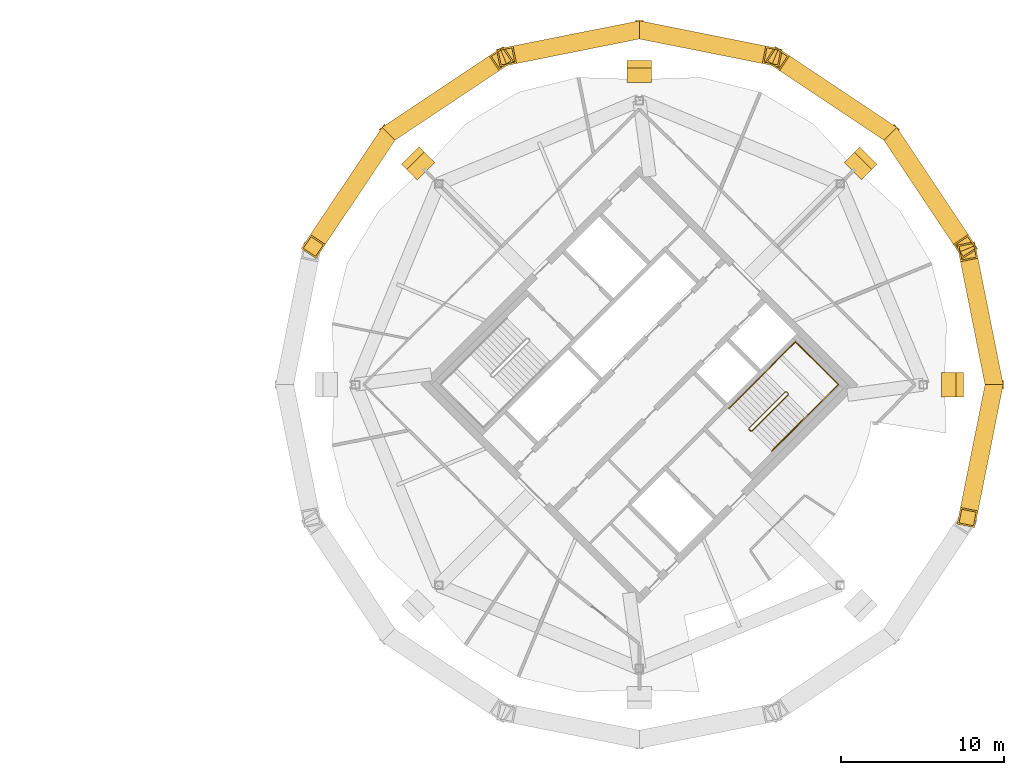
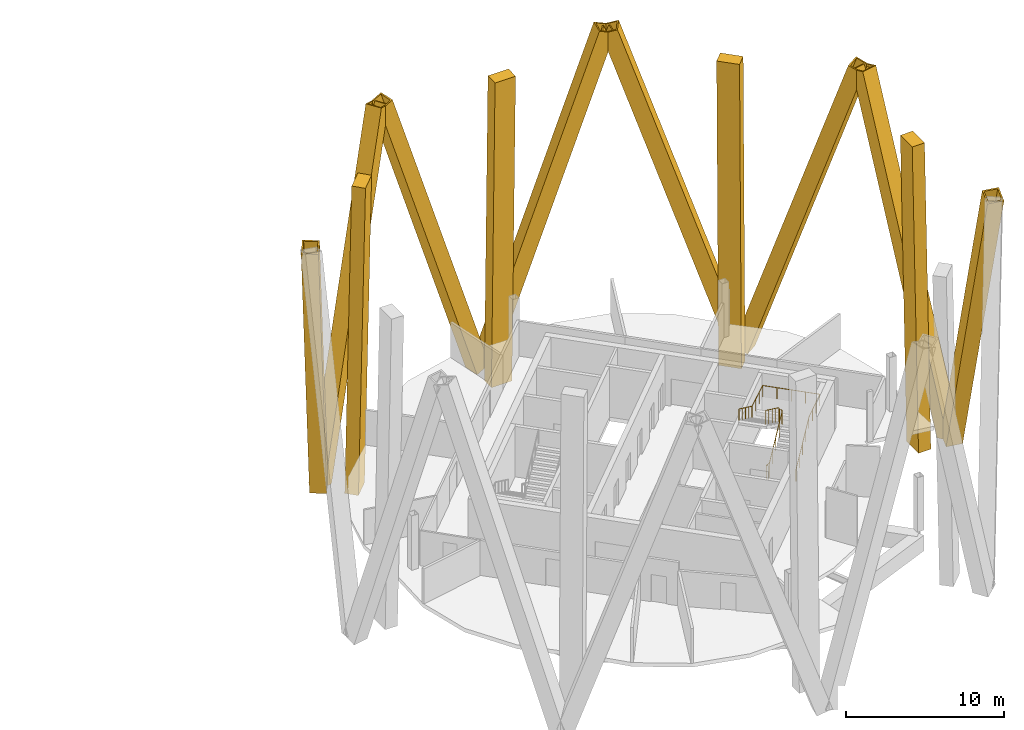
# One storey, part 11 of 11: 12 coverings, 2 railings.
"""IFC4 building model written with IfcOpenShell, lengths in metres."""

from ifc_helpers import new_model, si_unit, direction, frame, origin, origin_2d, place, context, subcontext, project, spatial, rectangle, hollow_rectangle, circle, extrude, material, material_profile, profile_set, type_object, element, save


model = new_model("IFC4")

# Units and contexts
model_context = context("Model", 3, precision=1e-05, world=origin(), true_north=direction((0.0, 1.0)))
body_context = subcontext(model_context, "Body", "Model", "MODEL_VIEW")
ifc_project = project(units=[si_unit("LENGTHUNIT", "METRE"), si_unit("AREAUNIT", "SQUARE_METRE"), si_unit("VOLUMEUNIT", "CUBIC_METRE"), si_unit("PLANEANGLEUNIT", "RADIAN"), si_unit("MASSUNIT", "GRAM", prefix="KILO")], contexts=[model_context])

# Site, building, storey
site_placement = place(None, origin())
site = spatial("IfcSite", under=ifc_project, at=site_placement, CompositionType="ELEMENT")
building_placement = place(site_placement, origin())
building = spatial("IfcBuilding", under=site, at=building_placement, Name="Ogive Gate Towers", CompositionType="ELEMENT")
storey_placement = place(building_placement, frame((0.0, 0.0, 273.0)))
storey = spatial("IfcBuildingStorey", under=building, at=storey_placement, Name="L64", CompositionType="ELEMENT", Elevation=273.0)

# Coverings
ifc_material_1 = material(Name="Pale metal aluminium", Category="aluminium")
ifc_material_profile_1 = material_profile(ifc_material_1, rectangle(XDim=1.5, YDim=0.89990234375, at=origin_2d()), Name="1500 x 900 pale metal aluminium")
ifc_profile_set_1 = profile_set([ifc_material_profile_1], Name="Pale metal aluminium")
covering_type_1 = type_object("IfcCoveringType", Name="Crease colonnette 1500 x 900", PredefinedType="CLADDING", material=ifc_profile_set_1)
for number, where, z_axis, x_axis, name in (
    (1, (55.47021484375, 0.0, -3.5), (-0.01933269431, 0.0, 0.999813106001), (0.0, -1.0, 0.0), "Crease colonnette"),
    (2, (49.767333984375, 13.767333984375, -3.5), (-0.01366109034, -0.01366109034, 0.999813357193), (0.707106781187, -0.707106781187, 0.0), "Crease colonnette"),
    (3, (36.0, 19.47021484375, -3.5), (0.0, -0.01933269431, 0.999813106001), (1.0, 0.0, 0.0), "Crease colonnette"),
    (4, (22.232666015625, 13.767333984375, -3.5), (0.01366109034, -0.01366109034, 0.999813357193), (0.707106781187, 0.707106781187, 0.0), "Crease colonnette"),
):
    element("IfcCovering", number, at=place(storey_placement, frame(where, z_axis=z_axis, x_axis=x_axis)), inside=storey, type_object=covering_type_1, Name=name, PredefinedType="CLADDING", context=body_context, shape_type="SweptSolid", body=[
        extrude(rectangle(XDim=1.5, YDim=0.89990234375, at=origin_2d()), origin(), (0.0, 0.0, 1.0), 23.804443359375),
    ])
ifc_material_2 = material(Name="Pale metal aluminium cladding", Category="aluminium")
ifc_material_profile_2 = material_profile(ifc_material_2, hollow_rectangle(XDim=1.10009765625, YDim=1.10009765625, WallThickness=0.10009765625, at=origin_2d()), Name="1100 x 1100 pale metal casing")
ifc_profile_set_2 = profile_set([ifc_material_profile_2], Name="Pale metal aluminium cladding")
covering_type_2 = type_object("IfcCoveringType", Name="Diagrid casing 1100 x 1100", PredefinedType="CLADDING", material=ifc_profile_set_2)
for number, where, z_axis, x_axis, name in (
    (5, (57.775634765625, -0.172607421875, -3.678955078125), (-0.062591350387, -0.313722746741, 0.947449397611), (0.980672661406, -0.195655644365, 0.0), "Diagrid casing"),
    (6, (57.775634765625, 0.172607421875, -3.678955078125), (-0.062591350387, 0.313722746741, 0.947449397611), (-0.980672661406, -0.195655644365, 0.0), "Diagrid casing"),
    (7, (51.519775390625, 15.275634765625, -3.678955078125), (0.177576613446, -0.266096822187, 0.947448693903), (0.831792343582, 0.555086927569, 0.0), "Diagrid casing"),
    (8, (51.275634765625, 15.519775390625, -3.678955078125), (-0.266096822187, 0.177576613446, 0.947448693903), (-0.555086927569, -0.831792343582, 0.0), "Diagrid casing"),
    (9, (36.172607421875, 21.775634765625, -3.678955078125), (0.313722746741, -0.062591350387, 0.947449397611), (0.195655644365, 0.980672661406, 0.0), "Diagrid casing"),
    (10, (35.827392578125, 21.775634765625, -3.678955078125), (-0.313722746741, -0.062591350387, 0.947449397611), (0.195655644365, -0.980672661406, 0.0), "Diagrid casing"),
    (11, (20.724365234375, 15.519775390625, -3.678955078125), (0.266096822187, 0.177576613446, 0.947448693903), (-0.555086927569, 0.831792343582, 0.0), "Diagrid casing"),
    (12, (20.480224609375, 15.275634765625, -3.678955078125), (-0.177576613446, -0.266096822187, 0.947448693903), (0.831792343582, -0.555086927569, 0.0), "Diagrid casing"),
):
    element("IfcCovering", number, at=place(storey_placement, frame(where, z_axis=z_axis, x_axis=x_axis)), inside=storey, type_object=covering_type_2, Name=name, PredefinedType="CLADDING", context=body_context, shape_type="SweptSolid", body=[
        extrude(hollow_rectangle(XDim=1.10009765625, YDim=1.10009765625, WallThickness=0.10009765625, at=origin_2d()), origin(), (0.0, 0.0, 1.0), 25.497802734375),
    ])

# Railings
ifc_material_3 = material(Name="Stainless steel", Category="steel")
railing_type_1 = type_object("IfcRailingType", Name="Stair guard 1100", PredefinedType="GUARDRAIL", material=ifc_material_3)
railing_1_placement = place(storey_placement, frame((42.84130859375, -2.8603515625, 0.0)))
element("IfcRailing", 13, at=railing_1_placement, inside=storey, type_object=railing_type_1, Name="L64 ST2 stair guard 1", PredefinedType="GUARDRAIL", context=body_context, shape_type="SweptSolid", body=[
    extrude(circle(Radius=0.02392578125, at=origin_2d()), frame((0.0, 0.0, 1.076171875), z_axis=(-0.707106781187, 0.707106781187, 0.0), x_axis=(-0.707106781187, -0.707106781187, 0.0)), (0.0, 0.0, 1.0), 0.14501953125),
    extrude(circle(Radius=0.02392578125, at=origin_2d()), frame((-0.1025390625, 0.1025390625, 1.076171875), z_axis=(0.649075284728, -0.384501579105, 0.65639912433), x_axis=(0.509669330572, 0.860370369942, 0.0)), (0.0, 0.0, 1.0), 0.2666015625),
    extrude(circle(Radius=0.02392578125, at=origin_2d()), frame((0.070556640625, 0.0, 1.2509765625), z_axis=(0.604012965068, 0.604012965068, 0.519939108031), x_axis=(-0.707106781187, 0.707106781187, 0.0)), (0.0, 0.0, 1.0), 3.702392578125),
    extrude(circle(Radius=0.02392578125, at=origin_2d()), frame((2.306884765625, 2.236328125, 3.17626953125), z_axis=(0.0, 1.0, 0.0), x_axis=(-1.0, 0.0, 0.0)), (0.0, 0.0, 1.0), 0.07080078125),
    extrude(circle(Radius=0.02392578125, at=origin_2d()), frame((2.306884765625, 2.30712890625, 3.17626953125), z_axis=(-0.707106781187, 0.707106781187, 0.0), x_axis=(-0.707106781187, -0.707106781187, 0.0)), (0.0, 0.0, 1.0), 0.14501953125),
    extrude(circle(Radius=0.02392578125, at=origin_2d()), frame((2.204345703125, 2.40966796875, 3.17626953125), z_axis=(-0.375404609379, 0.0, 0.92686103557), x_axis=(0.0, -1.0, 0.0)), (0.0, 0.0, 1.0), 0.1884765625),
    extrude(circle(Radius=0.02392578125, at=origin_2d()), frame((2.133544921875, 2.40966796875, 3.35107421875), z_axis=(-0.603971079388, -0.604037022294, 0.51995981668), x_axis=(0.707145379772, -0.707068180494, 0.0)), (0.0, 0.0, 1.0), 3.702392578125),
    extrude(circle(Radius=0.02099609375, at=origin_2d()), origin(), (0.0, 0.0, 1.0), 1.052001953125),
    extrude(circle(Radius=0.02099609375, at=origin_2d()), frame((-0.1025390625, 0.1025390625, 0.0)), (0.0, 0.0, 1.0), 1.052001953125),
    extrude(circle(Radius=0.02099609375, at=origin_2d()), frame((0.070556640625, 0.0, 0.175048828125)), (0.0, 0.0, 1.0), 1.052001953125),
    extrude(circle(Radius=0.02099609375, at=origin_2d()), frame((0.629638671875, 0.55908203125, 0.65625)), (0.0, 0.0, 1.0), 1.052001953125),
    extrude(circle(Radius=0.02099609375, at=origin_2d()), frame((1.188720703125, 1.1181640625, 1.1376953125)), (0.0, 0.0, 1.0), 1.052001953125),
    extrude(circle(Radius=0.02099609375, at=origin_2d()), frame((1.747802734375, 1.67724609375, 1.618896484375)), (0.0, 0.0, 1.0), 1.052001953125),
    extrude(circle(Radius=0.02099609375, at=origin_2d()), frame((2.306884765625, 2.236328125, 2.10009765625)), (0.0, 0.0, 1.0), 1.052001953125),
    extrude(circle(Radius=0.02099609375, at=origin_2d()), frame((2.306884765625, 2.30712890625, 2.10009765625)), (0.0, 0.0, 1.0), 1.052001953125),
    extrude(circle(Radius=0.02099609375, at=origin_2d()), frame((2.204345703125, 2.40966796875, 2.10009765625)), (0.0, 0.0, 1.0), 1.052001953125),
    extrude(circle(Radius=0.02099609375, at=origin_2d()), frame((2.133544921875, 2.40966796875, 2.27490234375)), (0.0, 0.0, 1.0), 1.052001953125),
    extrude(circle(Radius=0.02099609375, at=origin_2d()), frame((1.574462890625, 1.8505859375, 2.756103515625)), (0.0, 0.0, 1.0), 1.052001953125),
    extrude(circle(Radius=0.02099609375, at=origin_2d()), frame((1.015625, 1.29150390625, 3.2373046875)), (0.0, 0.0, 1.0), 1.052001953125),
    extrude(circle(Radius=0.02099609375, at=origin_2d()), frame((0.45654296875, 0.732421875, 3.71875)), (0.0, 0.0, 1.0), 1.052001953125),
    extrude(circle(Radius=0.02099609375, at=origin_2d()), frame((-0.1025390625, 0.17333984375, 4.199951171875)), (0.0, 0.0, 1.0), 1.052001953125),
])
railing_type_2 = type_object("IfcRailingType", Name="Stair handrail 900", PredefinedType="HANDRAIL", material=ifc_material_3)
railing_2_placement = place(storey_placement, frame((44.142333984375, -4.090576171875, 0.175048828125)))
element("IfcRailing", 14, at=railing_2_placement, inside=storey, type_object=railing_type_2, Name="L64 ST2 stair handrail 1", PredefinedType="HANDRAIL", context=body_context, shape_type="SweptSolid", body=[
    extrude(circle(Radius=0.02392578125, at=origin_2d()), frame((0.0, 0.0, 0.8759765625), z_axis=(0.604037022294, 0.603971079388, 0.51995981668), x_axis=(-0.707068180494, 0.707145379772, 0.0)), (0.0, 0.0, 1.0), 3.702392578125),
    extrude(circle(Radius=0.02392578125, at=origin_2d()), frame((2.236328125, 2.236083984375, 2.80078125), z_axis=(0.70706023191, 0.707153327399, 0.0), x_axis=(-0.707153327399, 0.70706023191, 0.0)), (0.0, 0.0, 1.0), 2.62255859375),
    extrude(circle(Radius=0.02392578125, at=origin_2d()), frame((4.090576171875, 4.090576171875, 2.80078125), z_axis=(-0.707106781187, 0.707106781187, 0.0), x_axis=(-0.707106781187, -0.707106781187, 0.0)), (0.0, 0.0, 1.0), 3.72509765625),
    extrude(circle(Radius=0.02392578125, at=origin_2d()), frame((1.45654296875, 6.724609375, 2.80078125), z_axis=(-0.705494687239, -0.705587576599, 0.066508781575), x_axis=(0.707153327399, -0.70706023191, 0.0)), (0.0, 0.0, 1.0), 2.628173828125),
    extrude(circle(Radius=0.02392578125, at=origin_2d()), frame((-0.397705078125, 4.8701171875, 2.9755859375), z_axis=(-0.604037022294, -0.603971079388, 0.51995981668), x_axis=(0.707068180494, -0.707145379772, 0.0)), (0.0, 0.0, 1.0), 3.702392578125),
    extrude(circle(Radius=0.02099609375, at=origin_2d()), origin(), (0.0, 0.0, 1.0), 0.851806640625),
    extrude(circle(Radius=0.02099609375, at=origin_2d()), frame((0.55908203125, 0.55908203125, 0.481201171875)), (0.0, 0.0, 1.0), 0.851806640625),
    extrude(circle(Radius=0.02099609375, at=origin_2d()), frame((1.1181640625, 1.1181640625, 0.96240234375)), (0.0, 0.0, 1.0), 0.851806640625),
    extrude(circle(Radius=0.02099609375, at=origin_2d()), frame((1.67724609375, 1.677001953125, 1.44384765625)), (0.0, 0.0, 1.0), 0.851806640625),
    extrude(circle(Radius=0.02099609375, at=origin_2d()), frame((2.236328125, 2.236083984375, 1.925048828125)), (0.0, 0.0, 1.0), 0.851806640625),
    extrude(circle(Radius=0.02099609375, at=origin_2d()), frame((2.8544921875, 2.854248046875, 1.925048828125)), (0.0, 0.0, 1.0), 0.851806640625),
    extrude(circle(Radius=0.02099609375, at=origin_2d()), frame((3.472412109375, 3.472412109375, 1.925048828125)), (0.0, 0.0, 1.0), 0.851806640625),
    extrude(circle(Radius=0.02099609375, at=origin_2d()), frame((4.090576171875, 4.090576171875, 1.925048828125)), (0.0, 0.0, 1.0), 0.851806640625),
    extrude(circle(Radius=0.02099609375, at=origin_2d()), frame((3.43212890625, 4.7490234375, 1.925048828125)), (0.0, 0.0, 1.0), 0.851806640625),
    extrude(circle(Radius=0.02099609375, at=origin_2d()), frame((2.7734375, 5.40771484375, 1.925048828125)), (0.0, 0.0, 1.0), 0.851806640625),
    extrude(circle(Radius=0.02099609375, at=origin_2d()), frame((2.114990234375, 6.066162109375, 1.925048828125)), (0.0, 0.0, 1.0), 0.851806640625),
    extrude(circle(Radius=0.02099609375, at=origin_2d()), frame((1.45654296875, 6.724609375, 1.925048828125)), (0.0, 0.0, 1.0), 0.851806640625),
    extrude(circle(Radius=0.02099609375, at=origin_2d()), frame((0.83837890625, 6.1064453125, 1.9833984375)), (0.0, 0.0, 1.0), 0.851806640625),
    extrude(circle(Radius=0.02099609375, at=origin_2d()), frame((0.220458984375, 5.48828125, 2.04150390625)), (0.0, 0.0, 1.0), 0.851806640625),
    extrude(circle(Radius=0.02099609375, at=origin_2d()), frame((-0.397705078125, 4.8701171875, 2.099853515625)), (0.0, 0.0, 1.0), 0.851806640625),
    extrude(circle(Radius=0.02099609375, at=origin_2d()), frame((-0.956787109375, 4.31103515625, 2.5810546875)), (0.0, 0.0, 1.0), 0.851806640625),
    extrude(circle(Radius=0.02099609375, at=origin_2d()), frame((-1.515869140625, 3.751953125, 3.0625)), (0.0, 0.0, 1.0), 0.851806640625),
    extrude(circle(Radius=0.02099609375, at=origin_2d()), frame((-2.074951171875, 3.193115234375, 3.543701171875)), (0.0, 0.0, 1.0), 0.851806640625),
    extrude(circle(Radius=0.02099609375, at=origin_2d()), frame((-2.634033203125, 2.634033203125, 4.02490234375)), (0.0, 0.0, 1.0), 0.851806640625),
])

save(model, "model.ifc")
